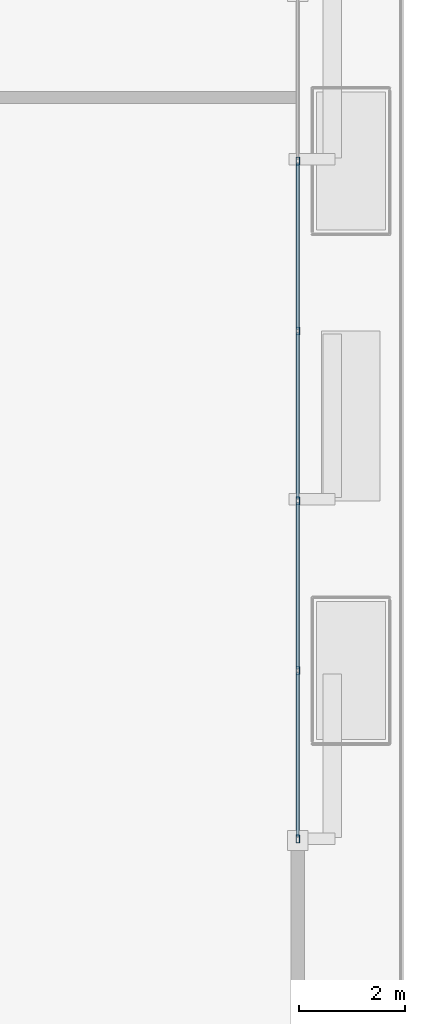
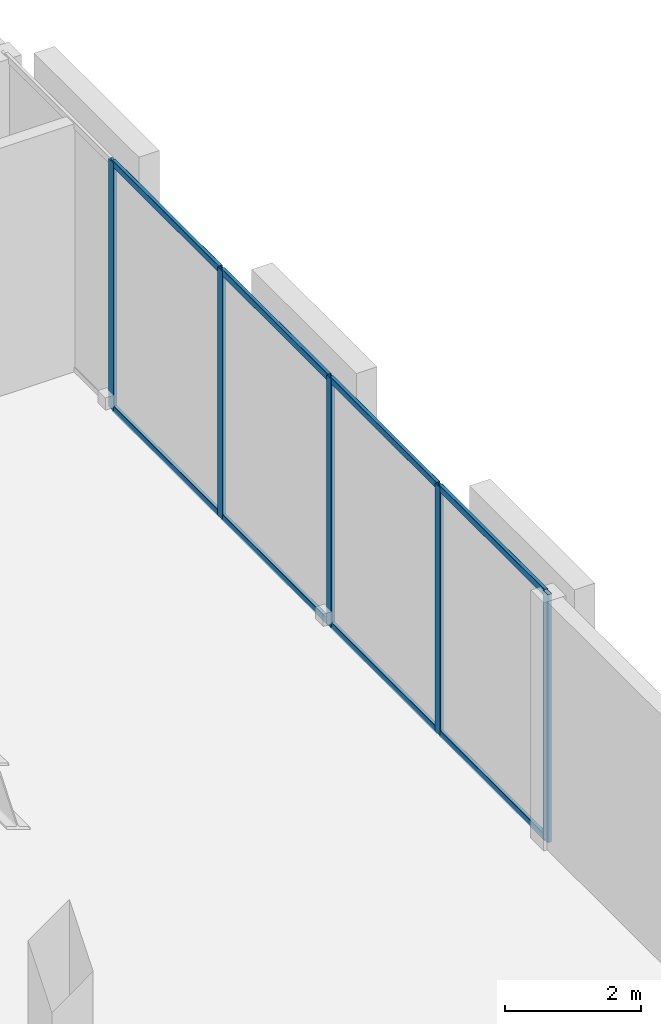
# One storey, part 6 of 15: 13 members, 1 element without a shape of its own.
"""IFC4 building model written with IfcOpenShell, lengths in metres."""

from ifc_helpers import new_model, si_unit, direction, frame, origin, origin_2d, place, context, subcontext, project, spatial, hollow_rectangle, extrude, material, layer, layer_set, material_profile, profile_set, type_object, element, aggregate, save


model = new_model("IFC4")

# Units and contexts
model_context = context("Model", 3, precision=1e-05, world=origin(), true_north=direction((0.0, 1.0)))
body_context = subcontext(model_context, "Body", "Model", "MODEL_VIEW")
ifc_project = project(units=[si_unit("LENGTHUNIT", "METRE"), si_unit("AREAUNIT", "SQUARE_METRE"), si_unit("VOLUMEUNIT", "CUBIC_METRE"), si_unit("PLANEANGLEUNIT", "RADIAN"), si_unit("MASSUNIT", "GRAM", prefix="KILO")], contexts=[model_context])

# Site, building, storey
site_placement = place(None, origin())
site = spatial("IfcSite", under=ifc_project, at=site_placement, CompositionType="ELEMENT")
building_placement = place(site_placement, origin())
building = spatial("IfcBuilding", under=site, at=building_placement, Name="An Khanh Terracotta Commons", CompositionType="ELEMENT")
storey_placement = place(building_placement, frame((0.0, 0.0, 14.699951171875)))
storey = spatial("IfcBuildingStorey", under=building, at=storey_placement, Name="L04", CompositionType="ELEMENT", Elevation=14.699951171875)

# Curtain wall, members
ifc_material = material(Name="Anodised Aluminium 6063-T6", Category="aluminium")
ifc_layer = layer(ifc_material, 0.179931640625, Name="Anodised Aluminium 6063-T6")
ifc_layer_set = layer_set([ifc_layer], Name="Anodised Aluminium 6063-T6")
curtain_wall_type = type_object("IfcCurtainWallType", Name="CW-SYS-01", PredefinedType="USERDEFINED", material=ifc_layer_set)
curtain_wall_placement = place(storey_placement, origin())
curtain_wall = element("IfcCurtainWall", 1, at=curtain_wall_placement, inside=storey, type_object=curtain_wall_type, Name="L04 CW-01 Unitised Curtain Wall CW-L04-EAST", ObjectType="UNITISED CURTAIN WALL", PredefinedType="USERDEFINED")
ifc_material_profile_1 = material_profile(ifc_material, hollow_rectangle(XDim=0.06494140625, YDim=0.14990234375, WallThickness=0.00390625, InnerFilletRadius=0.00390625, OuterFilletRadius=0.008056640625, at=origin_2d()), Name="RHS150x65x4")
ifc_profile_set_1 = profile_set([ifc_material_profile_1], Name="Anodised Aluminium 6063-T6")
member_type_1 = type_object("IfcMemberType", Name="CWM-RHS150x65x4", PredefinedType="MULLION", material=ifc_profile_set_1)
member_1_placement = place(storey_placement, frame((67.800048828125, 16.032470703125, 0.0), z_axis=(0.0, 0.0, 1.0), x_axis=(-1.0, 0.0, 0.0)))
member_1 = element("IfcMember", 2, at=member_1_placement, type_object=member_type_1, Name="CW-01 mullion 1", PredefinedType="MULLION", context=body_context, shape_type="SweptSolid", body=[
    extrude(hollow_rectangle(XDim=0.06494140625, YDim=0.14990234375, WallThickness=0.00390625, InnerFilletRadius=0.00390625, OuterFilletRadius=0.008056640625, at=origin_2d()), origin(), (0.0, 0.0, 1.0), 4.449951171875),
])
member_2_placement = place(storey_placement, frame((67.800048828125, 19.199951171875, 0.0), z_axis=(0.0, 0.0, 1.0), x_axis=(-1.0, 0.0, 0.0)))
member_2 = element("IfcMember", 3, at=member_2_placement, type_object=member_type_1, Name="CW-01 mullion 2", PredefinedType="MULLION", context=body_context, shape_type="SweptSolid", body=[
    extrude(hollow_rectangle(XDim=0.06494140625, YDim=0.14990234375, WallThickness=0.00390625, InnerFilletRadius=0.00390625, OuterFilletRadius=0.008056640625, at=origin_2d()), origin(), (0.0, 0.0, 1.0), 4.449951171875),
])
member_3_placement = place(storey_placement, frame((67.800048828125, 22.39990234375, 0.0), z_axis=(0.0, 0.0, 1.0), x_axis=(-1.0, 0.0, 0.0)))
member_3 = element("IfcMember", 4, at=member_3_placement, type_object=member_type_1, Name="CW-01 mullion 3", PredefinedType="MULLION", context=body_context, shape_type="SweptSolid", body=[
    extrude(hollow_rectangle(XDim=0.06494140625, YDim=0.14990234375, WallThickness=0.00390625, InnerFilletRadius=0.00390625, OuterFilletRadius=0.008056640625, at=origin_2d()), origin(), (0.0, 0.0, 1.0), 4.449951171875),
])
member_4_placement = place(storey_placement, frame((67.800048828125, 25.60009765625, 0.0), z_axis=(0.0, 0.0, 1.0), x_axis=(-1.0, 0.0, 0.0)))
member_4 = element("IfcMember", 5, at=member_4_placement, type_object=member_type_1, Name="CW-01 mullion 4", PredefinedType="MULLION", context=body_context, shape_type="SweptSolid", body=[
    extrude(hollow_rectangle(XDim=0.06494140625, YDim=0.14990234375, WallThickness=0.00390625, InnerFilletRadius=0.00390625, OuterFilletRadius=0.008056640625, at=origin_2d()), origin(), (0.0, 0.0, 1.0), 4.449951171875),
])
member_5_placement = place(storey_placement, frame((67.800048828125, 28.800048828125, 0.0), z_axis=(0.0, 0.0, 1.0), x_axis=(-1.0, 0.0, 0.0)))
member_5 = element("IfcMember", 6, at=member_5_placement, type_object=member_type_1, Name="CW-01 mullion 5", PredefinedType="MULLION", context=body_context, shape_type="SweptSolid", body=[
    extrude(hollow_rectangle(XDim=0.06494140625, YDim=0.14990234375, WallThickness=0.00390625, InnerFilletRadius=0.00390625, OuterFilletRadius=0.008056640625, at=origin_2d()), origin(), (0.0, 0.0, 1.0), 4.449951171875),
])
ifc_material_profile_2 = material_profile(ifc_material, hollow_rectangle(XDim=0.06005859375, YDim=0.1201171875, WallThickness=0.003662109375, InnerFilletRadius=0.003662109375, OuterFilletRadius=0.007080078125, at=origin_2d()), Name="RHS120x60x3.6")
ifc_profile_set_2 = profile_set([ifc_material_profile_2], Name="Anodised Aluminium 6063-T6")
member_type_2 = type_object("IfcMemberType", Name="CWT-RHS120x60x3.6", PredefinedType="USERDEFINED", material=ifc_profile_set_2)
member_6_placement = place(storey_placement, frame((67.800048828125, 16.06494140625, 0.030029296875), z_axis=(0.0, 1.0, 0.0), x_axis=(-1.0, 0.0, 0.0)))
member_6 = element("IfcMember", 7, at=member_6_placement, type_object=member_type_2, Name="CW-01 transom 1.1", ObjectType="TRANSOM", PredefinedType="USERDEFINED", context=body_context, shape_type="SweptSolid", body=[
    extrude(hollow_rectangle(XDim=0.06005859375, YDim=0.1201171875, WallThickness=0.003662109375, InnerFilletRadius=0.003662109375, OuterFilletRadius=0.007080078125, at=origin_2d()), origin(), (0.0, 0.0, 1.0), 3.1025390625),
])
member_7_placement = place(storey_placement, frame((67.800048828125, 16.06494140625, 4.420166015625), z_axis=(0.0, 1.0, 0.0), x_axis=(-1.0, 0.0, 0.0)))
member_7 = element("IfcMember", 8, at=member_7_placement, type_object=member_type_2, Name="CW-01 transom 1.2", ObjectType="TRANSOM", PredefinedType="USERDEFINED", context=body_context, shape_type="SweptSolid", body=[
    extrude(hollow_rectangle(XDim=0.06005859375, YDim=0.1201171875, WallThickness=0.003662109375, InnerFilletRadius=0.003662109375, OuterFilletRadius=0.007080078125, at=origin_2d()), origin(), (0.0, 0.0, 1.0), 3.1025390625),
])
member_8_placement = place(storey_placement, frame((67.800048828125, 19.232421875, 0.030029296875), z_axis=(0.0, 1.0, 0.0), x_axis=(-1.0, 0.0, 0.0)))
member_8 = element("IfcMember", 9, at=member_8_placement, type_object=member_type_2, Name="CW-01 transom 2.1", ObjectType="TRANSOM", PredefinedType="USERDEFINED", context=body_context, shape_type="SweptSolid", body=[
    extrude(hollow_rectangle(XDim=0.06005859375, YDim=0.1201171875, WallThickness=0.003662109375, InnerFilletRadius=0.003662109375, OuterFilletRadius=0.007080078125, at=origin_2d()), origin(), (0.0, 0.0, 1.0), 3.135009765625),
])
member_9_placement = place(storey_placement, frame((67.800048828125, 19.232421875, 4.420166015625), z_axis=(0.0, 1.0, 0.0), x_axis=(-1.0, 0.0, 0.0)))
member_9 = element("IfcMember", 10, at=member_9_placement, type_object=member_type_2, Name="CW-01 transom 2.2", ObjectType="TRANSOM", PredefinedType="USERDEFINED", context=body_context, shape_type="SweptSolid", body=[
    extrude(hollow_rectangle(XDim=0.06005859375, YDim=0.1201171875, WallThickness=0.003662109375, InnerFilletRadius=0.003662109375, OuterFilletRadius=0.007080078125, at=origin_2d()), origin(), (0.0, 0.0, 1.0), 3.135009765625),
])
member_10_placement = place(storey_placement, frame((67.800048828125, 22.4326171875, 0.030029296875), z_axis=(0.0, 1.0, 0.0), x_axis=(-1.0, 0.0, 0.0)))
member_10 = element("IfcMember", 11, at=member_10_placement, type_object=member_type_2, Name="CW-01 transom 3.1", ObjectType="TRANSOM", PredefinedType="USERDEFINED", context=body_context, shape_type="SweptSolid", body=[
    extrude(hollow_rectangle(XDim=0.06005859375, YDim=0.1201171875, WallThickness=0.003662109375, InnerFilletRadius=0.003662109375, OuterFilletRadius=0.007080078125, at=origin_2d()), origin(), (0.0, 0.0, 1.0), 3.134765625),
])
member_11_placement = place(storey_placement, frame((67.800048828125, 22.4326171875, 4.420166015625), z_axis=(0.0, 1.0, 0.0), x_axis=(-1.0, 0.0, 0.0)))
member_11 = element("IfcMember", 12, at=member_11_placement, type_object=member_type_2, Name="CW-01 transom 3.2", ObjectType="TRANSOM", PredefinedType="USERDEFINED", context=body_context, shape_type="SweptSolid", body=[
    extrude(hollow_rectangle(XDim=0.06005859375, YDim=0.1201171875, WallThickness=0.003662109375, InnerFilletRadius=0.003662109375, OuterFilletRadius=0.007080078125, at=origin_2d()), origin(), (0.0, 0.0, 1.0), 3.134765625),
])
member_12_placement = place(storey_placement, frame((67.800048828125, 25.632568359375, 0.030029296875), z_axis=(0.0, 1.0, 0.0), x_axis=(-1.0, 0.0, 0.0)))
member_12 = element("IfcMember", 13, at=member_12_placement, type_object=member_type_2, Name="CW-01 transom 4.1", ObjectType="TRANSOM", PredefinedType="USERDEFINED", context=body_context, shape_type="SweptSolid", body=[
    extrude(hollow_rectangle(XDim=0.06005859375, YDim=0.1201171875, WallThickness=0.003662109375, InnerFilletRadius=0.003662109375, OuterFilletRadius=0.007080078125, at=origin_2d()), origin(), (0.0, 0.0, 1.0), 3.135009765625),
])
member_13_placement = place(storey_placement, frame((67.800048828125, 25.632568359375, 4.420166015625), z_axis=(0.0, 1.0, 0.0), x_axis=(-1.0, 0.0, 0.0)))
member_13 = element("IfcMember", 14, at=member_13_placement, type_object=member_type_2, Name="CW-01 transom 4.2", ObjectType="TRANSOM", PredefinedType="USERDEFINED", context=body_context, shape_type="SweptSolid", body=[
    extrude(hollow_rectangle(XDim=0.06005859375, YDim=0.1201171875, WallThickness=0.003662109375, InnerFilletRadius=0.003662109375, OuterFilletRadius=0.007080078125, at=origin_2d()), origin(), (0.0, 0.0, 1.0), 3.135009765625),
])
aggregate(curtain_wall, [member_1, member_2, member_3, member_4, member_5, member_6, member_7, member_8, member_9, member_10, member_11, member_12, member_13])

save(model, "model.ifc")
